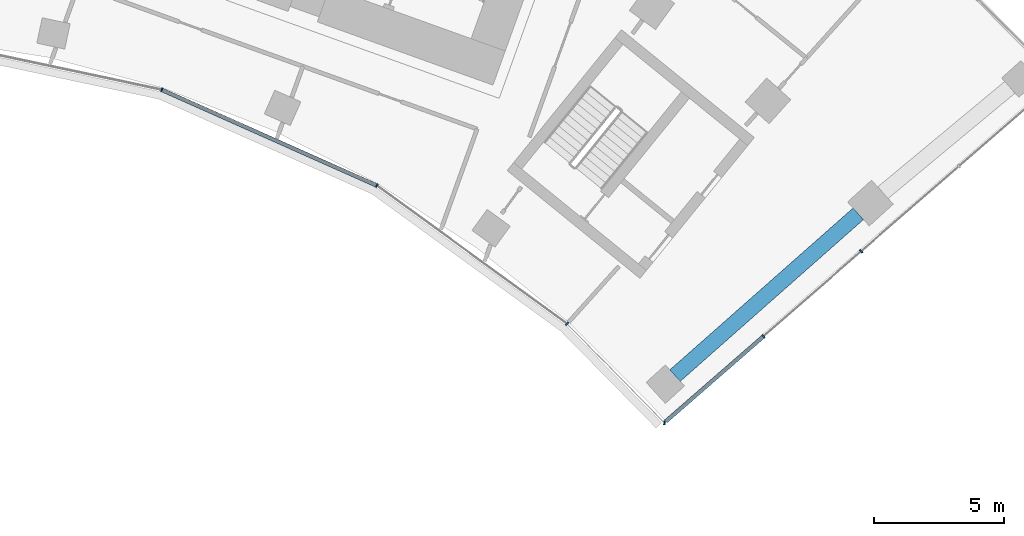
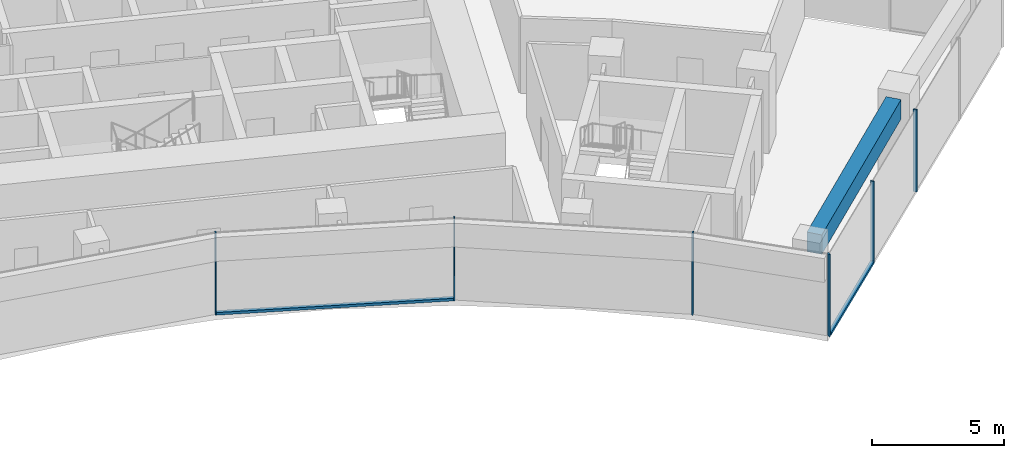
# One storey, part 8 of 20: 8 members, 1 beam, 2 elements without a shape of their own.
"""IFC4 building model written with IfcOpenShell, lengths in metres."""

from ifc_helpers import new_model, si_unit, direction, frame, origin, origin_2d, place, context, subcontext, project, spatial, rectangle, extrude, material, layer, layer_set, material_profile, profile_set, type_object, element, aggregate, save


model = new_model("IFC4")

# Units and contexts
model_context = context("Model", 3, precision=1e-05, world=origin(), true_north=direction((0.0, 1.0)))
body_context = subcontext(model_context, "Body", "Model", "MODEL_VIEW")
ifc_project = project(units=[si_unit("LENGTHUNIT", "METRE"), si_unit("AREAUNIT", "SQUARE_METRE"), si_unit("VOLUMEUNIT", "CUBIC_METRE"), si_unit("PLANEANGLEUNIT", "RADIAN"), si_unit("MASSUNIT", "GRAM", prefix="KILO")], contexts=[model_context])

# Site, building, storey
site_placement = place(None, origin())
site = spatial("IfcSite", under=ifc_project, at=site_placement, CompositionType="ELEMENT")
building_placement = place(site_placement, origin())
building = spatial("IfcBuilding", under=site, at=building_placement, Name="Stone Belt Terrace Tower", CompositionType="ELEMENT")
storey_placement = place(building_placement, frame((0.0, 0.0, 174.39990234375)))
storey = spatial("IfcBuildingStorey", under=building, at=storey_placement, Name="L42", CompositionType="ELEMENT", Elevation=174.39990234375)

# Curtain wall, members
ifc_material_1 = material(Name="Aluminium 6063-T6 anodised frame", Category="aluminium")
ifc_layer_1 = layer(ifc_material_1, 0.14990234375)
ifc_layer_set_1 = layer_set([ifc_layer_1], Name="CW-B unitised concave-face curtain wall")
curtain_wall_type_1 = type_object("IfcCurtainWallType", Name="CW-B unitised concave-face curtain wall", PredefinedType="NOTDEFINED", material=ifc_layer_set_1)
curtain_wall_1_placement = place(storey_placement, origin())
curtain_wall_1 = element("IfcCurtainWall", 1, at=curtain_wall_1_placement, inside=storey, type_object=curtain_wall_type_1, Name="CW-B concave face L42", PredefinedType="NOTDEFINED")
ifc_material_profile_1 = material_profile(ifc_material_1, rectangle(XDim=0.14990234375, YDim=0.050048828125, at=origin_2d()), Name="Aluminium 6063-T6 50x150")
ifc_profile_set_1 = profile_set([ifc_material_profile_1], Name="Aluminium 6063-T6 anodised frame")
member_type_1 = type_object("IfcMemberType", Name="CW-B mullion 50 x 150", PredefinedType="MULLION", material=ifc_profile_set_1)
member_1_placement = place(storey_placement, frame((13.4189453125, 41.29931640625, 0.0), z_axis=(0.0, 0.0, 1.0), x_axis=(0.309016994375, 0.951056516295, 0.0)))
member_1 = element("IfcMember", 2, at=member_1_placement, type_object=member_type_1, Name="CW-B mullion 7", PredefinedType="MULLION", context=body_context, shape_type="SweptSolid", body=[
    extrude(rectangle(XDim=0.14990234375, YDim=0.050048828125, at=origin_2d()), origin(), (0.0, 0.0, 1.0), 3.800048828125),
])
member_2_placement = place(storey_placement, frame((21.71240234375, 37.606689453125, 0.0), z_axis=(0.0, 0.0, 1.0), x_axis=(0.5, 0.866025403784, 0.0)))
member_2 = element("IfcMember", 3, at=member_2_placement, type_object=member_type_1, Name="CW-B mullion 8", PredefinedType="MULLION", context=body_context, shape_type="SweptSolid", body=[
    extrude(rectangle(XDim=0.14990234375, YDim=0.050048828125, at=origin_2d()), origin(), (0.0, 0.0, 1.0), 3.800048828125),
])
member_3_placement = place(storey_placement, frame((29.05810546875, 32.269775390625, 0.0), z_axis=(0.0, 0.0, 1.0), x_axis=(0.652633631779, 0.757673638627, 0.0)))
member_3 = element("IfcMember", 4, at=member_3_placement, type_object=member_type_1, Name="CW-B mullion 9", PredefinedType="MULLION", context=body_context, shape_type="SweptSolid", body=[
    extrude(rectangle(XDim=0.14990234375, YDim=0.050048828125, at=origin_2d()), origin(), (0.0, 0.0, 1.0), 3.800048828125),
])
ifc_material_profile_2 = material_profile(ifc_material_1, rectangle(XDim=0.14990234375, YDim=0.1201171875, at=origin_2d()), Name="Aluminium 6063-T6 150x120")
ifc_profile_set_2 = profile_set([ifc_material_profile_2], Name="Aluminium 6063-T6 anodised frame")
member_type_2 = type_object("IfcMemberType", Name="CW-B transom 120 x 150", PredefinedType="USERDEFINED", material=ifc_profile_set_2)
member_4_placement = place(storey_placement, frame((13.44873046875, 41.285888671875, 0.06005859375), z_axis=(0.913548853737, -0.406729015237, 0.0), x_axis=(0.406729015237, 0.913548853737, 0.0)))
member_4 = element("IfcMember", 5, at=member_4_placement, type_object=member_type_2, Name="CW-B transom 7.1", ObjectType="TRANSOM", PredefinedType="USERDEFINED", context=body_context, shape_type="SweptSolid", body=[
    extrude(rectangle(XDim=0.14990234375, YDim=0.1201171875, at=origin_2d()), origin(), (0.0, 0.0, 1.0), 9.0126953125),
])
aggregate(curtain_wall_1, [member_1, member_2, member_3, member_4])

ifc_layer_2 = layer(ifc_material_1, 0.14990234375)
ifc_layer_set_2 = layer_set([ifc_layer_2], Name="CW-C stick curtain wall, horn ends and notches")
curtain_wall_type_2 = type_object("IfcCurtainWallType", Name="CW-C stick curtain wall, horn ends and notches", PredefinedType="NOTDEFINED", material=ifc_layer_set_2)
curtain_wall_2_placement = place(storey_placement, origin())
curtain_wall_2 = element("IfcCurtainWall", 6, at=curtain_wall_2_placement, inside=storey, type_object=curtain_wall_type_2, Name="CW-C end face L42", PredefinedType="NOTDEFINED")
ifc_material_profile_3 = material_profile(ifc_material_1, rectangle(XDim=0.14990234375, YDim=0.06005859375, at=origin_2d()), Name="Aluminium 6063-T6 60x150")
ifc_profile_set_3 = profile_set([ifc_material_profile_3], Name="Aluminium 6063-T6 anodised frame")
member_type_3 = type_object("IfcMemberType", Name="CW-C mullion 60 x 150", PredefinedType="MULLION", material=ifc_profile_set_3)
member_5_placement = place(storey_placement, frame((32.806884765625, 28.45751953125, 0.0), z_axis=(0.0, 0.0, 1.0), x_axis=(0.038760786717, 0.999248518344, 0.0)))
member_5 = element("IfcMember", 7, at=member_5_placement, type_object=member_type_3, Name="CW-C mullion 1", PredefinedType="MULLION", context=body_context, shape_type="SweptSolid", body=[
    extrude(rectangle(XDim=0.14990234375, YDim=0.06005859375, at=origin_2d()), origin(), (0.0, 0.0, 1.0), 3.800048828125),
])
member_6_placement = place(storey_placement, frame((36.63134765625, 31.78662109375, 0.0), z_axis=(0.0, 0.0, 1.0), x_axis=(-0.65656142871, 0.754272557058, 0.0)))
member_6 = element("IfcMember", 8, at=member_6_placement, type_object=member_type_3, Name="CW-C mullion 2", PredefinedType="MULLION", context=body_context, shape_type="SweptSolid", body=[
    extrude(rectangle(XDim=0.14990234375, YDim=0.06005859375, at=origin_2d()), origin(), (0.0, 0.0, 1.0), 3.800048828125),
])
member_7_placement = place(storey_placement, frame((40.40283203125, 35.069580078125, 0.0), z_axis=(0.0, 0.0, 1.0), x_axis=(-0.65656142871, 0.754272557058, 0.0)))
member_7 = element("IfcMember", 9, at=member_7_placement, type_object=member_type_3, Name="CW-C mullion 3", PredefinedType="MULLION", context=body_context, shape_type="SweptSolid", body=[
    extrude(rectangle(XDim=0.14990234375, YDim=0.06005859375, at=origin_2d()), origin(), (0.0, 0.0, 1.0), 3.800048828125),
])
ifc_material_profile_4 = material_profile(ifc_material_1, rectangle(XDim=0.14990234375, YDim=0.1201171875, at=origin_2d()), Name="Aluminium 6063-T6 150x120")
ifc_profile_set_4 = profile_set([ifc_material_profile_4], Name="Aluminium 6063-T6 anodised frame")
member_type_4 = type_object("IfcMemberType", Name="CW-C transom 120 x 150", PredefinedType="USERDEFINED", material=ifc_profile_set_4)
member_8_placement = place(storey_placement, frame((32.862060546875, 28.505615234375, 0.06005859375), z_axis=(0.75429435243, 0.656536388856, 0.0), x_axis=(-0.656536388856, 0.75429435243, 0.0)))
member_8 = element("IfcMember", 10, at=member_8_placement, type_object=member_type_4, Name="CW-C transom 1.1", ObjectType="TRANSOM", PredefinedType="USERDEFINED", context=body_context, shape_type="SweptSolid", body=[
    extrude(rectangle(XDim=0.14990234375, YDim=0.1201171875, at=origin_2d()), origin(), (0.0, 0.0, 1.0), 4.96728515625),
])
aggregate(curtain_wall_2, [member_5, member_6, member_7, member_8])

# Beam
ifc_material_2 = material(Name="Concrete B60", Category="concrete")
ifc_material_profile_5 = material_profile(ifc_material_2, rectangle(XDim=0.60009765625, YDim=0.89990234375, at=origin_2d()), Name="RC 600x900")
ifc_profile_set_5 = profile_set([ifc_material_profile_5], Name="Concrete B60")
beam_type = type_object("IfcBeamType", Name="Edge beam RC 600x900 B60", PredefinedType="SPANDREL", material=ifc_profile_set_5)
beam_placement = place(storey_placement, frame((33.219970703125, 30.2734375, 3.030029296875), z_axis=(0.749586233155, 0.661906699667, 0.0), x_axis=(-0.661906699667, 0.749586233155, 0.0)))
element("IfcBeam", 11, at=beam_placement, inside=storey, type_object=beam_type, Name="Edge beam L42 B P to Q", PredefinedType="SPANDREL", context=body_context, shape_type="SweptSolid", body=[
    extrude(rectangle(XDim=0.60009765625, YDim=0.89990234375, at=origin_2d()), origin(), (0.0, 0.0, 1.0), 9.430908203125),
])

save(model, "model.ifc")
